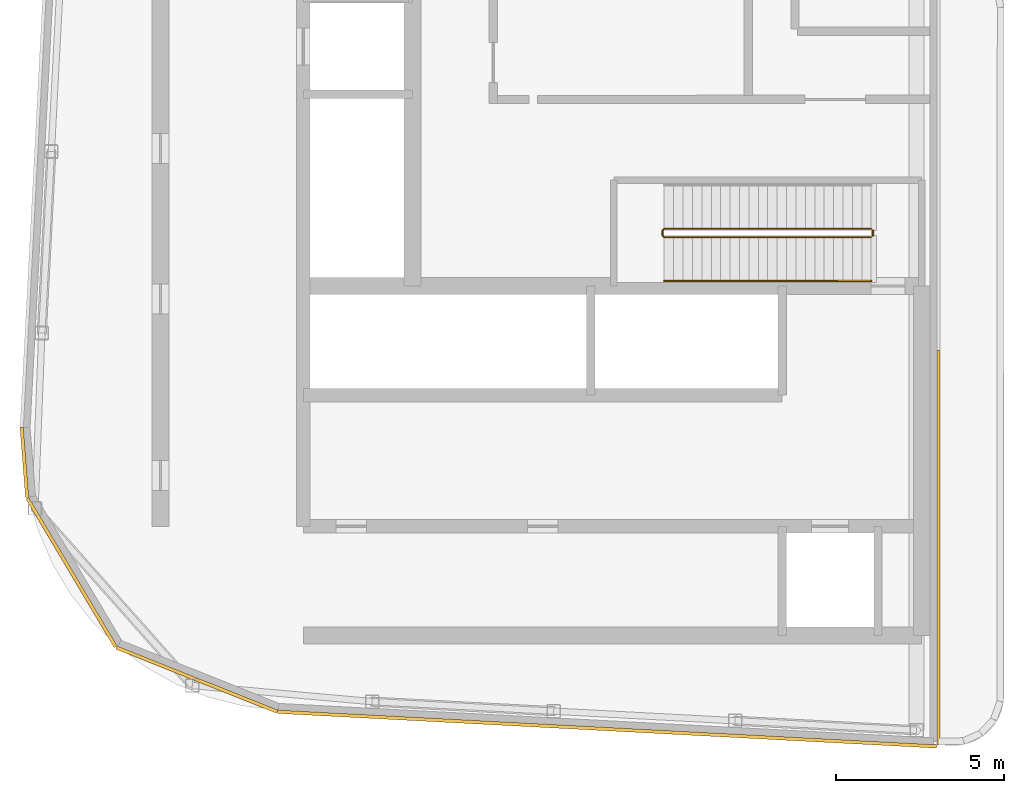
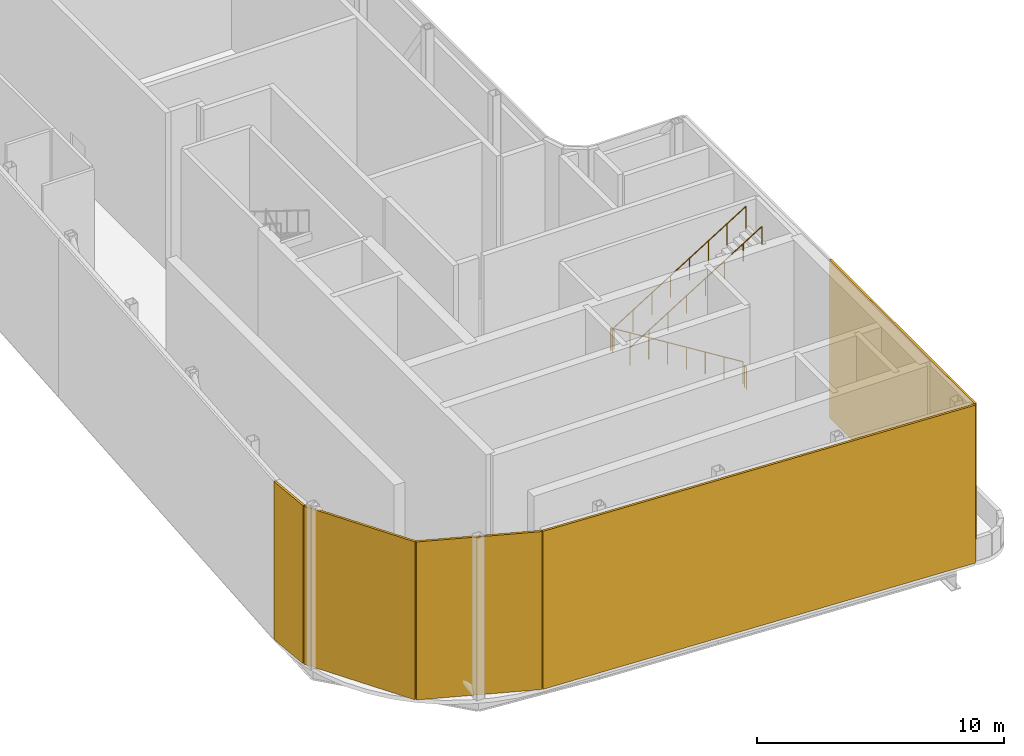
# One storey, part 7 of 10: 5 shading devices, 3 railings.
"""IFC4 building model written with IfcOpenShell, lengths in metres."""

from ifc_helpers import new_model, si_unit, direction, frame, origin, origin_2d, place, context, subcontext, project, spatial, rectangle, circle, extrude, material, layer, layer_set, type_object, element, save


model = new_model("IFC4")

# Units and contexts
model_context = context("Model", 3, precision=1e-05, world=origin(), true_north=direction((0.0, 1.0)))
body_context = subcontext(model_context, "Body", "Model", "MODEL_VIEW")
ifc_project = project(units=[si_unit("LENGTHUNIT", "METRE"), si_unit("AREAUNIT", "SQUARE_METRE"), si_unit("VOLUMEUNIT", "CUBIC_METRE"), si_unit("PLANEANGLEUNIT", "RADIAN"), si_unit("MASSUNIT", "GRAM", prefix="KILO")], contexts=[model_context])

# Site, building, storey
site_placement = place(None, origin())
site = spatial("IfcSite", under=ifc_project, at=site_placement, CompositionType="ELEMENT")
building_placement = place(site_placement, origin())
building = spatial("IfcBuilding", under=site, at=building_placement, Name="Kheshtan School and Residences Tower", CompositionType="ELEMENT")
storey_placement = place(building_placement, frame((0.0, 0.0, 396.800048828125)))
storey = spatial("IfcBuildingStorey", under=building, at=storey_placement, Name="L93", CompositionType="ELEMENT", Elevation=396.800048828125)

# Shading devices
ifc_material_1 = material(Name="Terracotta louvre blades", Category="masonry")
ifc_layer = layer(ifc_material_1, 0.10009765625)
ifc_layer_set = layer_set([ifc_layer], Name="Plant louvre screen")
shading_device_type = type_object("IfcShadingDeviceType", Name="Plant louvre screen", PredefinedType="JALOUSIE", material=ifc_layer_set)
shading_device_1_placement = place(storey_placement, frame((53.64990234375, 28.409912109375, 0.0), z_axis=(0.0, 0.0, 1.0), x_axis=(0.0, -1.0, 0.0)))
element("IfcShadingDevice", 1, at=shading_device_1_placement, inside=storey, type_object=shading_device_type, Name="Plant louvre L93 5.2", PredefinedType="JALOUSIE", context=body_context, shape_type="SweptSolid", body=[
    extrude(rectangle(XDim=11.72607421875, YDim=0.10009765625, at=origin_2d()), origin(), (0.0, 0.0, 1.0), 7.800048828125),
])
shading_device_2_placement = place(storey_placement, frame((43.7919921875, 23.013916015625, 0.0), z_axis=(0.0, 0.0, 1.0), x_axis=(-0.998615799011, 0.052597395047, 0.0)))
element("IfcShadingDevice", 2, at=shading_device_2_placement, inside=storey, type_object=shading_device_type, Name="Plant louvre L93 6.1", PredefinedType="JALOUSIE", context=body_context, shape_type="SweptSolid", body=[
    extrude(rectangle(XDim=19.637939453125, YDim=0.10009765625, at=origin_2d()), origin(), (0.0, 0.0, 1.0), 7.800048828125),
])
for number, where, z_axis, x_axis, name in (
    (3, (31.58203125, 24.487060546875, 0.0), (0.0, 0.0, 1.0), (-0.928796617411, 0.370589858854, 0.0), "Plant louvre L93 7.1"),
    (4, (27.85498046875, 27.6708984375, 0.0), (0.0, 0.0, 1.0), (-0.51097806284, 0.859593752476, 0.0), "Plant louvre L93 8.1"),
):
    element("IfcShadingDevice", number, at=place(storey_placement, frame(where, z_axis=z_axis, x_axis=x_axis)), inside=storey, type_object=shading_device_type, Name=name, PredefinedType="JALOUSIE", context=body_context, shape_type="SweptSolid", body=[
        extrude(rectangle(XDim=5.14306640625, YDim=0.10009765625, at=origin_2d()), origin(), (0.0, 0.0, 1.0), 7.800048828125),
    ])
shading_device_3_placement = place(storey_placement, frame((26.451904296875, 30.944091796875, 0.0), z_axis=(0.0, 0.0, 1.0), x_axis=(-0.078528693496, 0.996911853826, 0.0)))
element("IfcShadingDevice", 5, at=shading_device_3_placement, inside=storey, type_object=shading_device_type, Name="Plant louvre L93 9.1", PredefinedType="JALOUSIE", context=body_context, shape_type="SweptSolid", body=[
    extrude(rectangle(XDim=2.087890625, YDim=0.10009765625, at=origin_2d()), origin(), (0.0, 0.0, 1.0), 7.800048828125),
])

# Railings
ifc_material_2 = material(Name="Stainless steel balustrade", Category="steel")
railing_type_1 = type_object("IfcRailingType", Name="Stair guard 1100", PredefinedType="GUARDRAIL", material=ifc_material_2)
railing_1_placement = place(storey_placement, frame((51.64990234375, 37.89990234375, 0.173828125)))
element("IfcRailing", 6, at=railing_1_placement, inside=storey, type_object=railing_type_1, Name="L93 ST1 stair guard 1", PredefinedType="GUARDRAIL", context=body_context, shape_type="SweptSolid", body=[
    extrude(circle(Radius=0.02392578125, at=origin_2d()), frame((0.0, 0.0, 1.076171875), z_axis=(-0.849468459523, 0.0, 0.527639399851), x_axis=(0.0, -1.0, 0.0)), (0.0, 0.0, 1.0), 7.25146484375),
    extrude(circle(Radius=0.02392578125, at=origin_2d()), frame((-6.159912109375, 0.0, 4.90234375), z_axis=(-0.708833529934, -0.705375805398, 0.0), x_axis=(0.705375805398, -0.708833529934, 0.0)), (0.0, 0.0, 1.0), 0.070556640625),
    extrude(circle(Radius=0.02392578125, at=origin_2d()), frame((-6.2099609375, -0.0498046875, 4.90234375), z_axis=(0.0, -1.0, 0.0), x_axis=(1.0, 0.0, 0.0)), (0.0, 0.0, 1.0), 0.150146484375),
    extrude(circle(Radius=0.02392578125, at=origin_2d()), frame((-6.2099609375, -0.199951171875, 4.90234375), z_axis=(0.266662732588, -0.266662732588, 0.92616519806), x_axis=(0.707106781187, 0.707106781187, 0.0)), (0.0, 0.0, 1.0), 0.187744140625),
    extrude(circle(Radius=0.02392578125, at=origin_2d()), frame((-6.159912109375, -0.25, 5.076171875), z_axis=(0.849468459523, 0.0, 0.527639399851), x_axis=(0.0, 1.0, 0.0)), (0.0, 0.0, 1.0), 7.25146484375),
    extrude(circle(Radius=0.02099609375, at=origin_2d()), origin(), (0.0, 0.0, 1.0), 1.052001953125),
    extrude(circle(Radius=0.02099609375, at=origin_2d()), frame((-0.8798828125, 0.0, 0.546630859375)), (0.0, 0.0, 1.0), 1.052001953125),
    extrude(circle(Radius=0.02099609375, at=origin_2d()), frame((-1.760009765625, 0.0, 1.09326171875)), (0.0, 0.0, 1.0), 1.052001953125),
    extrude(circle(Radius=0.02099609375, at=origin_2d()), frame((-2.639892578125, 0.0, 1.639892578125)), (0.0, 0.0, 1.0), 1.052001953125),
    extrude(circle(Radius=0.02099609375, at=origin_2d()), frame((-3.52001953125, 0.0, 2.186279296875)), (0.0, 0.0, 1.0), 1.052001953125),
    extrude(circle(Radius=0.02099609375, at=origin_2d()), frame((-4.39990234375, 0.0, 2.73291015625)), (0.0, 0.0, 1.0), 1.052001953125),
    extrude(circle(Radius=0.02099609375, at=origin_2d()), frame((-5.280029296875, 0.0, 3.279541015625)), (0.0, 0.0, 1.0), 1.052001953125),
    extrude(circle(Radius=0.02099609375, at=origin_2d()), frame((-6.159912109375, 0.0, 3.826171875)), (0.0, 0.0, 1.0), 1.052001953125),
    extrude(circle(Radius=0.02099609375, at=origin_2d()), frame((-6.2099609375, -0.0498046875, 3.826171875)), (0.0, 0.0, 1.0), 1.052001953125),
    extrude(circle(Radius=0.02099609375, at=origin_2d()), frame((-6.2099609375, -0.199951171875, 3.826171875)), (0.0, 0.0, 1.0), 1.052001953125),
    extrude(circle(Radius=0.02099609375, at=origin_2d()), frame((-6.159912109375, -0.25, 4.0)), (0.0, 0.0, 1.0), 1.052001953125),
    extrude(circle(Radius=0.02099609375, at=origin_2d()), frame((-5.280029296875, -0.25, 4.546630859375)), (0.0, 0.0, 1.0), 1.052001953125),
    extrude(circle(Radius=0.02099609375, at=origin_2d()), frame((-4.39990234375, -0.25, 5.09326171875)), (0.0, 0.0, 1.0), 1.052001953125),
    extrude(circle(Radius=0.02099609375, at=origin_2d()), frame((-3.52001953125, -0.25, 5.639892578125)), (0.0, 0.0, 1.0), 1.052001953125),
    extrude(circle(Radius=0.02099609375, at=origin_2d()), frame((-2.639892578125, -0.25, 6.186279296875)), (0.0, 0.0, 1.0), 1.052001953125),
    extrude(circle(Radius=0.02099609375, at=origin_2d()), frame((-1.760009765625, -0.25, 6.73291015625)), (0.0, 0.0, 1.0), 1.052001953125),
    extrude(circle(Radius=0.02099609375, at=origin_2d()), frame((-0.8798828125, -0.25, 7.279541015625)), (0.0, 0.0, 1.0), 1.052001953125),
    extrude(circle(Radius=0.02099609375, at=origin_2d()), frame((0.0, -0.25, 7.826171875)), (0.0, 0.0, 1.0), 1.052001953125),
])
railing_2_placement = place(storey_placement, frame((51.699951171875, 37.85009765625, 0.0)))
element("IfcRailing", 7, at=railing_2_placement, inside=storey, type_object=railing_type_1, Name="L93 ST1 stair guard 2", PredefinedType="GUARDRAIL", context=body_context, shape_type="SweptSolid", body=[
    extrude(circle(Radius=0.02392578125, at=origin_2d()), frame((0.0, 0.0, 1.076171875), z_axis=(0.0, -1.0, 0.0), x_axis=(1.0, 0.0, 0.0)), (0.0, 0.0, 1.0), 0.150146484375),
    extrude(circle(Radius=0.02099609375, at=origin_2d()), origin(), (0.0, 0.0, 1.0), 1.052001953125),
    extrude(circle(Radius=0.02099609375, at=origin_2d()), frame((0.0, -0.150146484375, 0.0)), (0.0, 0.0, 1.0), 1.052001953125),
])
ifc_material_3 = material(Name="Stainless steel handrail", Category="steel")
railing_type_2 = type_object("IfcRailingType", Name="Stair handrail 900", PredefinedType="HANDRAIL", material=ifc_material_3)
railing_3_placement = place(storey_placement, frame((45.489990234375, 36.35009765625, 4.173828125)))
element("IfcRailing", 8, at=railing_3_placement, inside=storey, type_object=railing_type_2, Name="L93 ST1 stair handrail 2", PredefinedType="HANDRAIL", context=body_context, shape_type="SweptSolid", body=[
    extrude(circle(Radius=0.02392578125, at=origin_2d()), frame((0.0, 0.0, 0.8759765625), z_axis=(0.849468459523, 0.0, 0.527639399851), x_axis=(0.0, 1.0, 0.0)), (0.0, 0.0, 1.0), 7.25146484375),
    extrude(circle(Radius=0.02099609375, at=origin_2d()), origin(), (0.0, 0.0, 1.0), 0.851806640625),
    extrude(circle(Radius=0.02099609375, at=origin_2d()), frame((0.8798828125, 0.0, 0.546630859375)), (0.0, 0.0, 1.0), 0.851806640625),
    extrude(circle(Radius=0.02099609375, at=origin_2d()), frame((1.760009765625, 0.0, 1.09326171875)), (0.0, 0.0, 1.0), 0.851806640625),
    extrude(circle(Radius=0.02099609375, at=origin_2d()), frame((2.639892578125, 0.0, 1.639892578125)), (0.0, 0.0, 1.0), 0.851806640625),
    extrude(circle(Radius=0.02099609375, at=origin_2d()), frame((3.52001953125, 0.0, 2.186279296875)), (0.0, 0.0, 1.0), 0.851806640625),
    extrude(circle(Radius=0.02099609375, at=origin_2d()), frame((4.39990234375, 0.0, 2.73291015625)), (0.0, 0.0, 1.0), 0.851806640625),
    extrude(circle(Radius=0.02099609375, at=origin_2d()), frame((5.280029296875, 0.0, 3.279541015625)), (0.0, 0.0, 1.0), 0.851806640625),
    extrude(circle(Radius=0.02099609375, at=origin_2d()), frame((6.159912109375, 0.0, 3.826171875)), (0.0, 0.0, 1.0), 0.851806640625),
])

save(model, "model.ifc")
